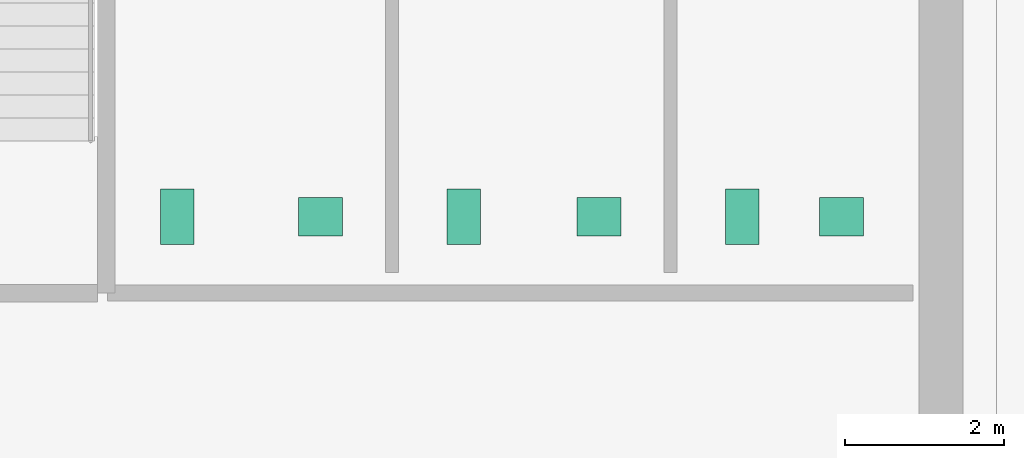
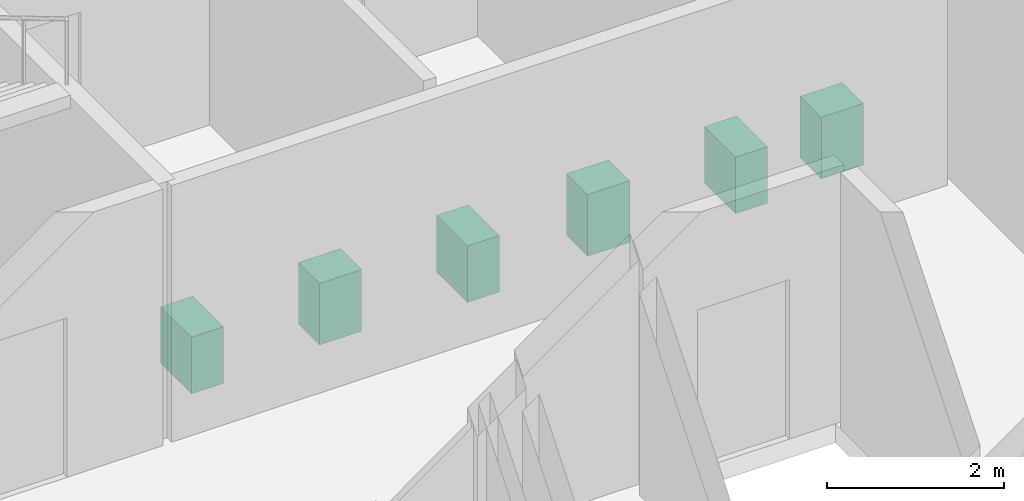
# One storey, part 11 of 11: 6 sanitary terminals.
"""IFC4 building model written with IfcOpenShell, lengths in metres."""

from ifc_helpers import new_model, si_unit, direction, frame, origin, origin_2d, place, context, subcontext, project, spatial, rectangle, extrude, material, type_object, element, save


model = new_model("IFC4")

# Units and contexts
model_context = context("Model", 3, precision=1e-05, world=origin(), true_north=direction((0.0, 1.0)))
body_context = subcontext(model_context, "Body", "Model", "MODEL_VIEW")
ifc_project = project(units=[si_unit("LENGTHUNIT", "METRE"), si_unit("AREAUNIT", "SQUARE_METRE"), si_unit("VOLUMEUNIT", "CUBIC_METRE"), si_unit("PLANEANGLEUNIT", "RADIAN"), si_unit("MASSUNIT", "GRAM", prefix="KILO")], contexts=[model_context])

# Site, building, storey
site_placement = place(None, origin())
site = spatial("IfcSite", under=ifc_project, at=site_placement, CompositionType="ELEMENT")
building_placement = place(site_placement, origin())
building = spatial("IfcBuilding", under=site, at=building_placement, Name="Norrvale University Quadrangle", CompositionType="ELEMENT")
storey_placement = place(building_placement, frame((0.0, 0.0, 300.0)))
storey = spatial("IfcBuildingStorey", under=building, at=storey_placement, Name="L76", CompositionType="ELEMENT", Elevation=300.0)

# Sanitary terminals
ifc_material = material(Name="Vitreous China Sanitaryware")
sanitary_terminal_type_1 = type_object("IfcSanitaryTerminalType", Name="Sanitary Wash Basin", PredefinedType="WASHHANDBASIN", material=ifc_material)
for number, where, z_axis, x_axis, name in (
    (1, (9.0, 41.10009765625, 0.0), (0.0, 0.0, 1.0), (1.0, 0.0, 0.0), "Accessible Countertop Washbasin L76-1"),
    (2, (12.5, 41.10009765625, 0.0), (0.0, 0.0, 1.0), (1.0, 0.0, 0.0), "Accessible Countertop Washbasin L76-2"),
    (3, (15.550048828125, 41.10009765625, 0.0), (0.0, 0.0, 1.0), (1.0, 0.0, 0.0), "Accessible Countertop Washbasin L76-3"),
):
    element("IfcSanitaryTerminal", number, at=place(storey_placement, frame(where, z_axis=z_axis, x_axis=x_axis)), inside=storey, type_object=sanitary_terminal_type_1, Name=name, PredefinedType="WASHHANDBASIN", context=body_context, shape_type="SweptSolid", body=[
        extrude(rectangle(XDim=0.550048828125, YDim=0.47998046875, at=origin_2d()), origin(), (0.0, 0.0, 1.0), 0.85009765625),
    ])
sanitary_terminal_type_2 = type_object("IfcSanitaryTerminalType", Name="Sanitary Water Closet", PredefinedType="TOILETPAN", material=ifc_material)
for number, where, z_axis, x_axis, name in (
    (4, (7.199951171875, 41.10009765625, 0.0), (0.0, 0.0, 1.0), (1.0, 0.0, 0.0), "Wall-Hung Water Closet L76-1"),
    (5, (10.800048828125, 41.10009765625, 0.0), (0.0, 0.0, 1.0), (1.0, 0.0, 0.0), "Wall-Hung Water Closet L76-2"),
    (6, (14.300048828125, 41.10009765625, 0.0), (0.0, 0.0, 1.0), (1.0, 0.0, 0.0), "Wall-Hung Water Closet L76-3"),
):
    element("IfcSanitaryTerminal", number, at=place(storey_placement, frame(where, z_axis=z_axis, x_axis=x_axis)), inside=storey, type_object=sanitary_terminal_type_2, Name=name, PredefinedType="TOILETPAN", context=body_context, shape_type="SweptSolid", body=[
        extrude(rectangle(XDim=0.419921875, YDim=0.699951171875, at=origin_2d()), origin(), (0.0, 0.0, 1.0), 0.780029296875),
    ])

save(model, "model.ifc")
